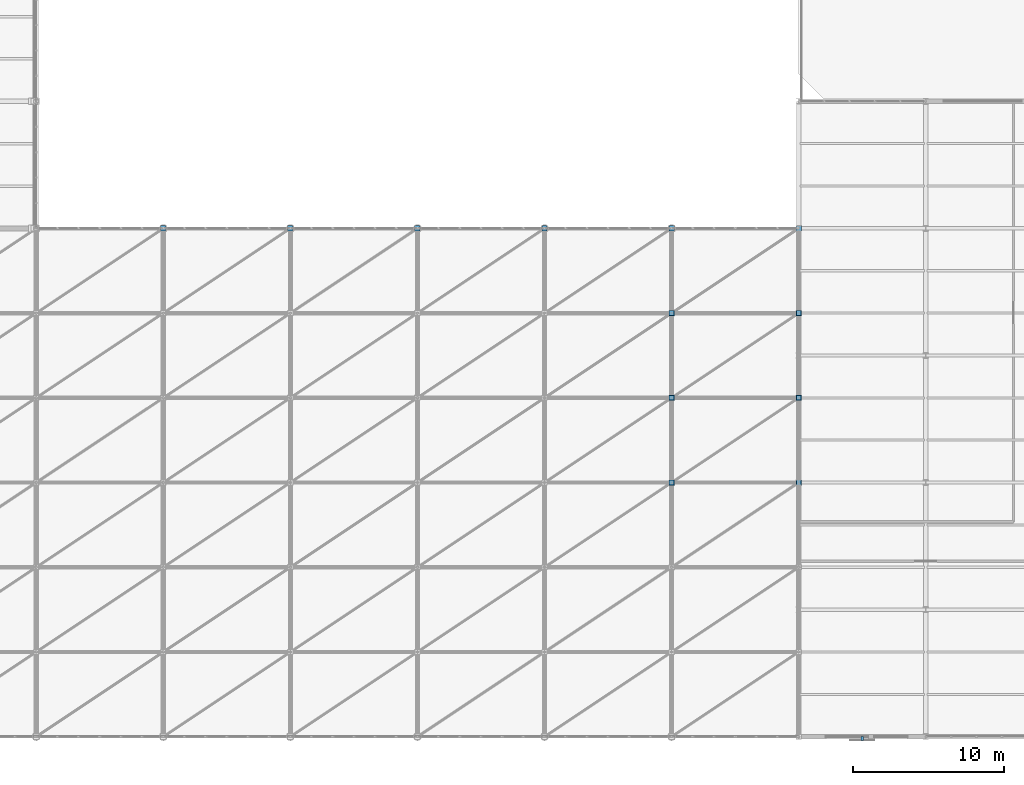
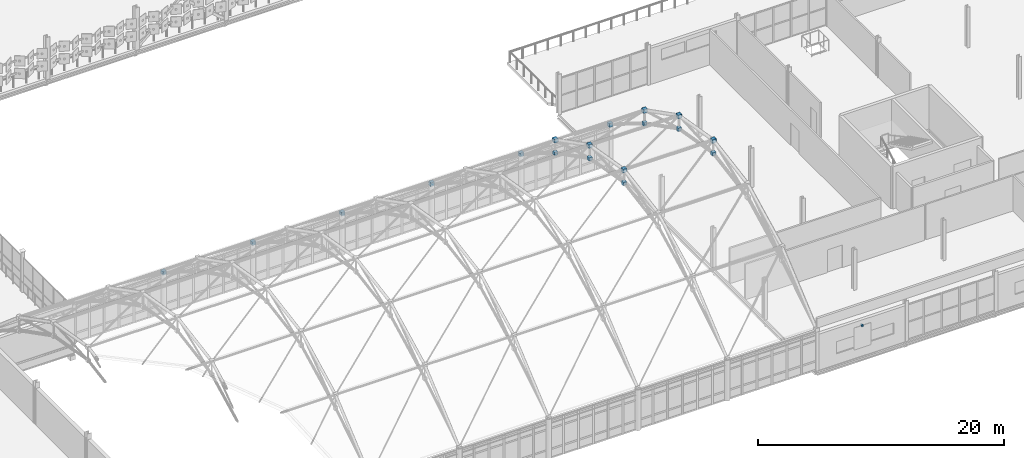
# One storey, part 166 of 184: 19 discrete accessories.
"""IFC4 building model written with IfcOpenShell, lengths in metres."""

from ifc_helpers import new_model, si_unit, direction, frame, origin, origin_2d, place, context, subcontext, project, spatial, rectangle, extrude, material, type_object, element, save


model = new_model("IFC4")

# Units and contexts
model_context = context("Model", 3, precision=1e-05, world=origin(), true_north=direction((0.0, 1.0)))
body_context = subcontext(model_context, "Body", "Model", "MODEL_VIEW")
ifc_project = project(units=[si_unit("LENGTHUNIT", "METRE"), si_unit("AREAUNIT", "SQUARE_METRE"), si_unit("VOLUMEUNIT", "CUBIC_METRE"), si_unit("PLANEANGLEUNIT", "RADIAN"), si_unit("MASSUNIT", "GRAM", prefix="KILO")], contexts=[model_context])

# Site, building, storey
site_placement = place(None, origin())
site = spatial("IfcSite", under=ifc_project, at=site_placement, CompositionType="ELEMENT")
building_placement = place(site_placement, origin())
building = spatial("IfcBuilding", under=site, at=building_placement, Name="Qalvenar Corner Mobility Hub", CompositionType="ELEMENT")
storey_placement = place(building_placement, frame((0.0, 0.0, 9.0)))
storey = spatial("IfcBuildingStorey", under=building, at=storey_placement, Name="L02", CompositionType="ELEMENT", Elevation=9.0)

# Discrete accessories
ifc_material = material(Name="Steel S355", Category="steel")
discrete_accessory_type_1 = type_object("IfcDiscreteAccessoryType", Name="ACC-HINGE-BRK", PredefinedType="BRACKET", material=ifc_material)
discrete_accessory_1_placement = place(storey_placement, frame((113.39990234375, -0.1201171875, 2.97021484375), z_axis=(0.0, 0.0, 1.0), x_axis=(1.0, 0.0, 0.0)))
element("IfcDiscreteAccessory", 1, at=discrete_accessory_1_placement, inside=storey, type_object=discrete_accessory_type_1, Name="Workshop Louvre Bracket BKV6-L02-0", PredefinedType="BRACKET", context=body_context, shape_type="SweptSolid", body=[
    extrude(rectangle(XDim=0.159912109375, YDim=0.239990234375, at=origin_2d()), origin(), (0.0, 0.0, 1.0), 0.159912109375),
])
discrete_accessory_type_2 = type_object("IfcDiscreteAccessoryType", Name="ACC-SF-NODE", PredefinedType="BRACKET", material=ifc_material)
for number, where, z_axis, x_axis, name in (
    (2, (67.199951171875, 33.60009765625, 3.8798828125), (0.0, 0.0, 1.0), (1.0, 0.0, 0.0), "Space Frame Spherical Node SFN-T-67-34"),
    (3, (75.60009765625, 33.60009765625, 3.8798828125), (0.0, 0.0, 1.0), (1.0, 0.0, 0.0), "Space Frame Spherical Node SFN-T-75-34"),
    (4, (84.0, 33.60009765625, 3.8798828125), (0.0, 0.0, 1.0), (1.0, 0.0, 0.0), "Space Frame Spherical Node SFN-T-84-34"),
    (5, (92.39990234375, 33.60009765625, 3.8798828125), (0.0, 0.0, 1.0), (1.0, 0.0, 0.0), "Space Frame Spherical Node SFN-T-92-34"),
    (6, (100.800048828125, 16.800048828125, 12.47998046875), (0.0, 0.0, 1.0), (1.0, 0.0, 0.0), "Space Frame Spherical Node SFN-T-100-17"),
):
    element("IfcDiscreteAccessory", number, at=place(storey_placement, frame(where, z_axis=z_axis, x_axis=x_axis)), inside=storey, type_object=discrete_accessory_type_2, Name=name, PredefinedType="BRACKET", context=body_context, shape_type="SweptSolid", body=[
        extrude(rectangle(XDim=0.360107421875, YDim=0.360107421875, at=origin_2d()), origin(), (0.0, 0.0, 1.0), 0.360107421875),
    ])
discrete_accessory_2_placement = place(storey_placement, frame((100.800048828125, 16.800048828125, 11.2001953125), z_axis=(0.0, 0.0, 1.0), x_axis=(1.0, 0.0, 0.0)))
element("IfcDiscreteAccessory", 7, at=discrete_accessory_2_placement, inside=storey, type_object=discrete_accessory_type_2, Name="Space Frame Bottom Node SFN-B-100-17", PredefinedType="BRACKET", context=body_context, shape_type="SweptSolid", body=[
    extrude(rectangle(XDim=0.320068359375, YDim=0.320068359375, at=origin_2d()), origin(), (0.0, 0.0, 1.0), 0.320068359375),
])
discrete_accessory_3_placement = place(storey_placement, frame((100.800048828125, 22.39990234375, 11.5244140625), z_axis=(0.0, 0.0, 1.0), x_axis=(1.0, 0.0, 0.0)))
element("IfcDiscreteAccessory", 8, at=discrete_accessory_3_placement, inside=storey, type_object=discrete_accessory_type_2, Name="Space Frame Spherical Node SFN-T-100-22", PredefinedType="BRACKET", context=body_context, shape_type="SweptSolid", body=[
    extrude(rectangle(XDim=0.360107421875, YDim=0.360107421875, at=origin_2d()), origin(), (0.0, 0.0, 1.0), 0.360107421875),
])
discrete_accessory_4_placement = place(storey_placement, frame((100.800048828125, 22.39990234375, 10.244140625), z_axis=(0.0, 0.0, 1.0), x_axis=(1.0, 0.0, 0.0)))
element("IfcDiscreteAccessory", 9, at=discrete_accessory_4_placement, inside=storey, type_object=discrete_accessory_type_2, Name="Space Frame Bottom Node SFN-B-100-22", PredefinedType="BRACKET", context=body_context, shape_type="SweptSolid", body=[
    extrude(rectangle(XDim=0.320068359375, YDim=0.320068359375, at=origin_2d()), origin(), (0.0, 0.0, 1.0), 0.320068359375),
])
discrete_accessory_5_placement = place(storey_placement, frame((100.800048828125, 28.0, 8.65771484375), z_axis=(0.0, 0.0, 1.0), x_axis=(1.0, 0.0, 0.0)))
element("IfcDiscreteAccessory", 10, at=discrete_accessory_5_placement, inside=storey, type_object=discrete_accessory_type_2, Name="Space Frame Spherical Node SFN-T-100-28", PredefinedType="BRACKET", context=body_context, shape_type="SweptSolid", body=[
    extrude(rectangle(XDim=0.360107421875, YDim=0.360107421875, at=origin_2d()), origin(), (0.0, 0.0, 1.0), 0.360107421875),
])
discrete_accessory_6_placement = place(storey_placement, frame((100.800048828125, 28.0, 7.3779296875), z_axis=(0.0, 0.0, 1.0), x_axis=(1.0, 0.0, 0.0)))
element("IfcDiscreteAccessory", 11, at=discrete_accessory_6_placement, inside=storey, type_object=discrete_accessory_type_2, Name="Space Frame Bottom Node SFN-B-100-28", PredefinedType="BRACKET", context=body_context, shape_type="SweptSolid", body=[
    extrude(rectangle(XDim=0.320068359375, YDim=0.320068359375, at=origin_2d()), origin(), (0.0, 0.0, 1.0), 0.320068359375),
])
for number, where, z_axis, x_axis, name in (
    (12, (100.800048828125, 33.60009765625, 3.8798828125), (0.0, 0.0, 1.0), (1.0, 0.0, 0.0), "Space Frame Spherical Node SFN-T-100-34"),
    (13, (109.199951171875, 16.800048828125, 12.47998046875), (0.0, 0.0, 1.0), (1.0, 0.0, 0.0), "Space Frame Spherical Node SFN-T-109-17"),
):
    element("IfcDiscreteAccessory", number, at=place(storey_placement, frame(where, z_axis=z_axis, x_axis=x_axis)), inside=storey, type_object=discrete_accessory_type_2, Name=name, PredefinedType="BRACKET", context=body_context, shape_type="SweptSolid", body=[
        extrude(rectangle(XDim=0.360107421875, YDim=0.360107421875, at=origin_2d()), origin(), (0.0, 0.0, 1.0), 0.360107421875),
    ])
discrete_accessory_7_placement = place(storey_placement, frame((109.199951171875, 16.800048828125, 11.2001953125), z_axis=(0.0, 0.0, 1.0), x_axis=(1.0, 0.0, 0.0)))
element("IfcDiscreteAccessory", 14, at=discrete_accessory_7_placement, inside=storey, type_object=discrete_accessory_type_2, Name="Space Frame Bottom Node SFN-B-109-17", PredefinedType="BRACKET", context=body_context, shape_type="SweptSolid", body=[
    extrude(rectangle(XDim=0.320068359375, YDim=0.320068359375, at=origin_2d()), origin(), (0.0, 0.0, 1.0), 0.320068359375),
])
discrete_accessory_8_placement = place(storey_placement, frame((109.199951171875, 22.39990234375, 11.5244140625), z_axis=(0.0, 0.0, 1.0), x_axis=(1.0, 0.0, 0.0)))
element("IfcDiscreteAccessory", 15, at=discrete_accessory_8_placement, inside=storey, type_object=discrete_accessory_type_2, Name="Space Frame Spherical Node SFN-T-109-22", PredefinedType="BRACKET", context=body_context, shape_type="SweptSolid", body=[
    extrude(rectangle(XDim=0.360107421875, YDim=0.360107421875, at=origin_2d()), origin(), (0.0, 0.0, 1.0), 0.360107421875),
])
discrete_accessory_9_placement = place(storey_placement, frame((109.199951171875, 22.39990234375, 10.244140625), z_axis=(0.0, 0.0, 1.0), x_axis=(1.0, 0.0, 0.0)))
element("IfcDiscreteAccessory", 16, at=discrete_accessory_9_placement, inside=storey, type_object=discrete_accessory_type_2, Name="Space Frame Bottom Node SFN-B-109-22", PredefinedType="BRACKET", context=body_context, shape_type="SweptSolid", body=[
    extrude(rectangle(XDim=0.320068359375, YDim=0.320068359375, at=origin_2d()), origin(), (0.0, 0.0, 1.0), 0.320068359375),
])
discrete_accessory_10_placement = place(storey_placement, frame((109.199951171875, 28.0, 8.65771484375), z_axis=(0.0, 0.0, 1.0), x_axis=(1.0, 0.0, 0.0)))
element("IfcDiscreteAccessory", 17, at=discrete_accessory_10_placement, inside=storey, type_object=discrete_accessory_type_2, Name="Space Frame Spherical Node SFN-T-109-28", PredefinedType="BRACKET", context=body_context, shape_type="SweptSolid", body=[
    extrude(rectangle(XDim=0.360107421875, YDim=0.360107421875, at=origin_2d()), origin(), (0.0, 0.0, 1.0), 0.360107421875),
])
discrete_accessory_11_placement = place(storey_placement, frame((109.199951171875, 28.0, 7.3779296875), z_axis=(0.0, 0.0, 1.0), x_axis=(1.0, 0.0, 0.0)))
element("IfcDiscreteAccessory", 18, at=discrete_accessory_11_placement, inside=storey, type_object=discrete_accessory_type_2, Name="Space Frame Bottom Node SFN-B-109-28", PredefinedType="BRACKET", context=body_context, shape_type="SweptSolid", body=[
    extrude(rectangle(XDim=0.320068359375, YDim=0.320068359375, at=origin_2d()), origin(), (0.0, 0.0, 1.0), 0.320068359375),
])
discrete_accessory_12_placement = place(storey_placement, frame((109.199951171875, 33.60009765625, 3.8798828125), z_axis=(0.0, 0.0, 1.0), x_axis=(1.0, 0.0, 0.0)))
element("IfcDiscreteAccessory", 19, at=discrete_accessory_12_placement, inside=storey, type_object=discrete_accessory_type_2, Name="Space Frame Spherical Node SFN-T-109-34", PredefinedType="BRACKET", context=body_context, shape_type="SweptSolid", body=[
    extrude(rectangle(XDim=0.360107421875, YDim=0.360107421875, at=origin_2d()), origin(), (0.0, 0.0, 1.0), 0.360107421875),
])

save(model, "model.ifc")
